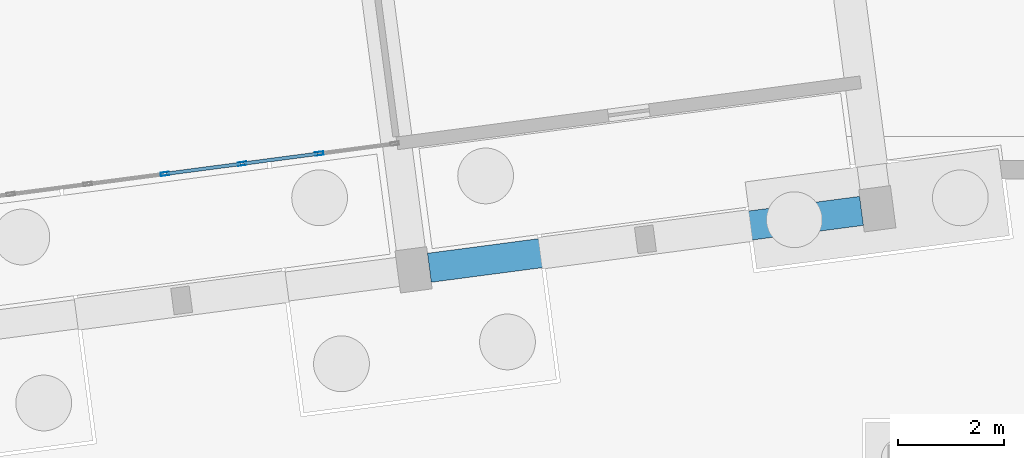
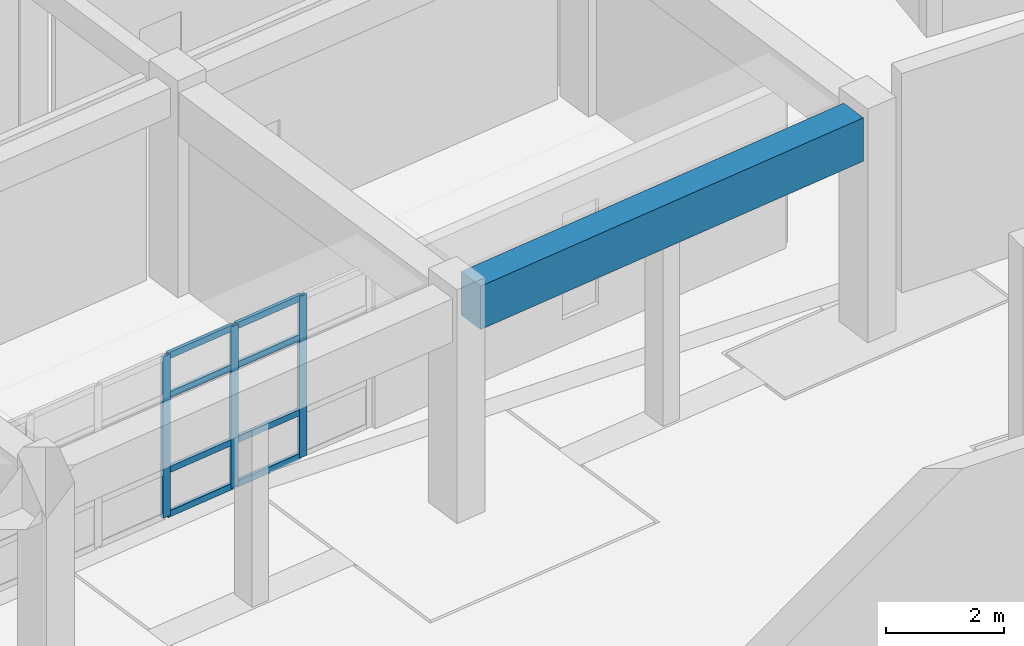
# One storey, part 64 of 154: 11 members, 1 beam, 1 element without a shape of its own.
"""IFC4 building model written with IfcOpenShell, lengths in metres."""

from ifc_helpers import new_model, si_unit, direction, frame, origin, origin_2d, place, context, subcontext, project, spatial, rectangle, hollow_rectangle, extrude, material, material_profile, profile_set, type_object, element, aggregate, save


model = new_model("IFC4")

# Units and contexts
model_context = context("Model", 3, precision=1e-05, world=origin(), true_north=direction((0.0, 1.0)))
body_context = subcontext(model_context, "Body", "Model", "MODEL_VIEW")
ifc_project = project(units=[si_unit("LENGTHUNIT", "METRE"), si_unit("AREAUNIT", "SQUARE_METRE"), si_unit("VOLUMEUNIT", "CUBIC_METRE"), si_unit("PLANEANGLEUNIT", "RADIAN"), si_unit("MASSUNIT", "GRAM", prefix="KILO")], contexts=[model_context])

# Site, building, storey
site_placement = place(None, origin())
site = spatial("IfcSite", under=ifc_project, at=site_placement, CompositionType="ELEMENT")
building_placement = place(site_placement, origin())
building = spatial("IfcBuilding", under=site, at=building_placement, Name="Kestramere Prow Commons", CompositionType="ELEMENT")
storey_placement = place(building_placement, origin())
storey = spatial("IfcBuildingStorey", under=building, at=storey_placement, Name="L00", CompositionType="ELEMENT", Elevation=0.0)

# Curtain wall, members
ifc_material_1 = material(Name="Anodised Aluminium and Low-E Glass", Category="aluminium")
curtain_wall_type = type_object("IfcCurtainWallType", Name="CW-01 Glazed Curtain Wall 8780x3350", PredefinedType="USERDEFINED", material=ifc_material_1)
curtain_wall_placement = place(storey_placement, origin())
curtain_wall = element("IfcCurtainWall", 1, at=curtain_wall_placement, inside=storey, type_object=curtain_wall_type, Name="Block A L00 South Colonnade Storefront 5", ObjectType="GLAZED CURTAIN WALL", PredefinedType="USERDEFINED")
ifc_material_2 = material(Name="Anodised Aluminium 6063-T6", Category="aluminium")
ifc_material_profile_1 = material_profile(ifc_material_2, hollow_rectangle(XDim=0.06494140625, YDim=0.159912109375, WallThickness=0.00390625, at=origin_2d()), Name="ALU-MUL 65x160")
ifc_profile_set_1 = profile_set([ifc_material_profile_1], Name="Anodised Aluminium 6063-T6")
member_type_1 = type_object("IfcMemberType", Name="CW-MUL-65x160", PredefinedType="MULLION", material=ifc_profile_set_1)
member_1_placement = place(storey_placement, frame((53.049560546875, 79.930419921875, 0.0), z_axis=(0.0, 0.0, 1.0), x_axis=(0.130526194106, -0.991444861125, 0.0)))
member_1 = element("IfcMember", 2, at=member_1_placement, type_object=member_type_1, Name="CW-01 mullion 2", PredefinedType="MULLION", context=body_context, shape_type="SweptSolid", body=[
    extrude(hollow_rectangle(XDim=0.06494140625, YDim=0.159912109375, WallThickness=0.00390625, at=origin_2d()), origin(), (0.0, 0.0, 1.0), 3.35009765625),
])
member_2_placement = place(storey_placement, frame((51.598876953125, 79.7392578125, 0.0), z_axis=(0.0, 0.0, 1.0), x_axis=(0.130526194106, -0.991444861125, 0.0)))
member_2 = element("IfcMember", 3, at=member_2_placement, type_object=member_type_1, Name="CW-01 mullion 3", PredefinedType="MULLION", context=body_context, shape_type="SweptSolid", body=[
    extrude(hollow_rectangle(XDim=0.06494140625, YDim=0.159912109375, WallThickness=0.00390625, at=origin_2d()), origin(), (0.0, 0.0, 1.0), 3.35009765625),
])
member_3_placement = place(storey_placement, frame((50.14794921875, 79.54833984375, 0.0), z_axis=(0.0, 0.0, 1.0), x_axis=(0.130526194106, -0.991444861125, 0.0)))
member_3 = element("IfcMember", 4, at=member_3_placement, type_object=member_type_1, Name="CW-01 mullion 4", PredefinedType="MULLION", context=body_context, shape_type="SweptSolid", body=[
    extrude(hollow_rectangle(XDim=0.06494140625, YDim=0.159912109375, WallThickness=0.00390625, at=origin_2d()), origin(), (0.0, 0.0, 1.0), 3.35009765625),
])
ifc_material_profile_2 = material_profile(ifc_material_2, hollow_rectangle(XDim=0.06494140625, YDim=0.1298828125, WallThickness=0.00390625, at=origin_2d()), Name="ALU-TRN 65x130")
ifc_profile_set_2 = profile_set([ifc_material_profile_2], Name="Anodised Aluminium 6063-T6")
member_type_2 = type_object("IfcMemberType", Name="CW-TRN-65x130", PredefinedType="USERDEFINED", material=ifc_profile_set_2)
member_4_placement = place(storey_placement, frame((53.017333984375, 79.926025390625, 0.032470703125), z_axis=(-0.991456672692, -0.130436444963, 0.0), x_axis=(0.130436444963, -0.991456672692, 0.0)))
member_4 = element("IfcMember", 5, at=member_4_placement, type_object=member_type_2, Name="CW-01 transom 2.1", ObjectType="TRANSOM", PredefinedType="USERDEFINED", context=body_context, shape_type="SweptSolid", body=[
    extrude(hollow_rectangle(XDim=0.06494140625, YDim=0.1298828125, WallThickness=0.00390625, at=origin_2d()), origin(), (0.0, 0.0, 1.0), 1.398193359375),
])
member_5_placement = place(storey_placement, frame((53.017333984375, 79.926025390625, 0.949951171875), z_axis=(-0.991456672692, -0.130436444963, 0.0), x_axis=(0.130436444963, -0.991456672692, 0.0)))
member_5 = element("IfcMember", 6, at=member_5_placement, type_object=member_type_2, Name="CW-01 transom 2.2", ObjectType="TRANSOM", PredefinedType="USERDEFINED", context=body_context, shape_type="SweptSolid", body=[
    extrude(hollow_rectangle(XDim=0.06494140625, YDim=0.1298828125, WallThickness=0.00390625, at=origin_2d()), origin(), (0.0, 0.0, 1.0), 1.398193359375),
])
member_6_placement = place(storey_placement, frame((53.017333984375, 79.926025390625, 2.5), z_axis=(-0.991456672692, -0.130436444963, 0.0), x_axis=(0.130436444963, -0.991456672692, 0.0)))
member_6 = element("IfcMember", 7, at=member_6_placement, type_object=member_type_2, Name="CW-01 transom 2.3", ObjectType="TRANSOM", PredefinedType="USERDEFINED", context=body_context, shape_type="SweptSolid", body=[
    extrude(hollow_rectangle(XDim=0.06494140625, YDim=0.1298828125, WallThickness=0.00390625, at=origin_2d()), origin(), (0.0, 0.0, 1.0), 1.398193359375),
])
member_7_placement = place(storey_placement, frame((53.017333984375, 79.926025390625, 3.3173828125), z_axis=(-0.991456672692, -0.130436444963, 0.0), x_axis=(0.130436444963, -0.991456672692, 0.0)))
member_7 = element("IfcMember", 8, at=member_7_placement, type_object=member_type_2, Name="CW-01 transom 2.4", ObjectType="TRANSOM", PredefinedType="USERDEFINED", context=body_context, shape_type="SweptSolid", body=[
    extrude(hollow_rectangle(XDim=0.06494140625, YDim=0.1298828125, WallThickness=0.00390625, at=origin_2d()), origin(), (0.0, 0.0, 1.0), 1.398193359375),
])
member_8_placement = place(storey_placement, frame((51.566650390625, 79.735107421875, 0.032470703125), z_axis=(-0.991437054742, -0.130585475779, 0.0), x_axis=(0.130585475779, -0.991437054742, 0.0)))
member_8 = element("IfcMember", 9, at=member_8_placement, type_object=member_type_2, Name="CW-01 transom 3.1", ObjectType="TRANSOM", PredefinedType="USERDEFINED", context=body_context, shape_type="SweptSolid", body=[
    extrude(hollow_rectangle(XDim=0.06494140625, YDim=0.1298828125, WallThickness=0.00390625, at=origin_2d()), origin(), (0.0, 0.0, 1.0), 1.3984375),
])
member_9_placement = place(storey_placement, frame((51.566650390625, 79.735107421875, 0.949951171875), z_axis=(-0.991437054742, -0.130585475779, 0.0), x_axis=(0.130585475779, -0.991437054742, 0.0)))
member_9 = element("IfcMember", 10, at=member_9_placement, type_object=member_type_2, Name="CW-01 transom 3.2", ObjectType="TRANSOM", PredefinedType="USERDEFINED", context=body_context, shape_type="SweptSolid", body=[
    extrude(hollow_rectangle(XDim=0.06494140625, YDim=0.1298828125, WallThickness=0.00390625, at=origin_2d()), origin(), (0.0, 0.0, 1.0), 1.3984375),
])
member_10_placement = place(storey_placement, frame((51.566650390625, 79.735107421875, 2.5), z_axis=(-0.991437054742, -0.130585475779, 0.0), x_axis=(0.130585475779, -0.991437054742, 0.0)))
member_10 = element("IfcMember", 11, at=member_10_placement, type_object=member_type_2, Name="CW-01 transom 3.3", ObjectType="TRANSOM", PredefinedType="USERDEFINED", context=body_context, shape_type="SweptSolid", body=[
    extrude(hollow_rectangle(XDim=0.06494140625, YDim=0.1298828125, WallThickness=0.00390625, at=origin_2d()), origin(), (0.0, 0.0, 1.0), 1.3984375),
])
member_11_placement = place(storey_placement, frame((51.566650390625, 79.735107421875, 3.3173828125), z_axis=(-0.991437054742, -0.130585475779, 0.0), x_axis=(0.130585475779, -0.991437054742, 0.0)))
member_11 = element("IfcMember", 12, at=member_11_placement, type_object=member_type_2, Name="CW-01 transom 3.4", ObjectType="TRANSOM", PredefinedType="USERDEFINED", context=body_context, shape_type="SweptSolid", body=[
    extrude(hollow_rectangle(XDim=0.06494140625, YDim=0.1298828125, WallThickness=0.00390625, at=origin_2d()), origin(), (0.0, 0.0, 1.0), 1.3984375),
])
aggregate(curtain_wall, [member_1, member_2, member_3, member_4, member_5, member_6, member_7, member_8, member_9, member_10, member_11])

# Beam
ifc_material_3 = material(Name="Precast concrete C40/50", Category="concrete")
ifc_material_profile_3 = material_profile(ifc_material_3, rectangle(XDim=0.550048828125, YDim=0.89990234375, at=origin_2d()), Name="PC-TG 550x900")
ifc_profile_set_3 = profile_set([ifc_material_profile_3], Name="Precast concrete C40/50")
beam_type = type_object("IfcBeamType", Name="TG-01 PC-TG 550x900 (EX)", PredefinedType="BEAM", material=ifc_profile_set_3)
beam_placement = place(storey_placement, frame((55.12109375, 77.7822265625, 3.800048828125), z_axis=(0.991444969909, 0.13052536781, 0.0), x_axis=(-0.13052536781, 0.991444969909, 0.0)))
element("IfcBeam", 13, at=beam_placement, inside=storey, type_object=beam_type, Name="Block A L00 Longitudinal Beam 1-6", PredefinedType="BEAM", context=body_context, shape_type="SweptSolid", body=[
    extrude(rectangle(XDim=0.550048828125, YDim=0.89990234375, at=origin_2d()), origin(), (0.0, 0.0, 1.0), 8.199951171875),
])

save(model, "model.ifc")
